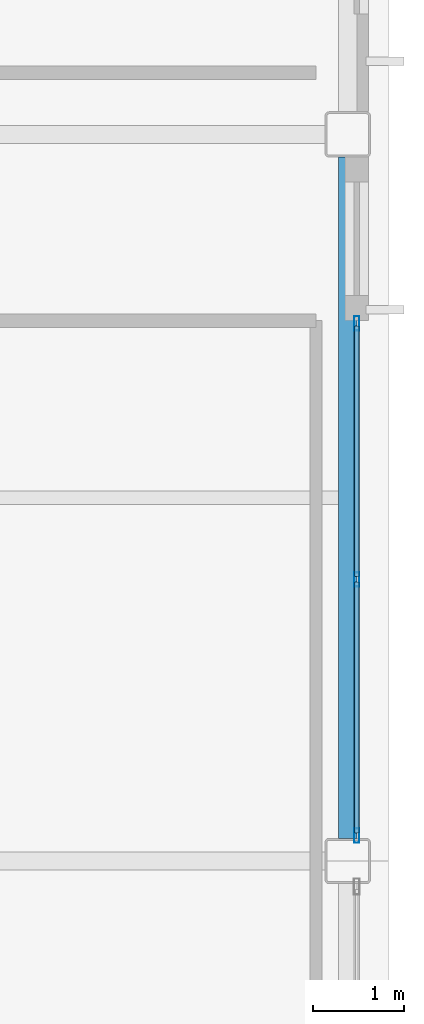
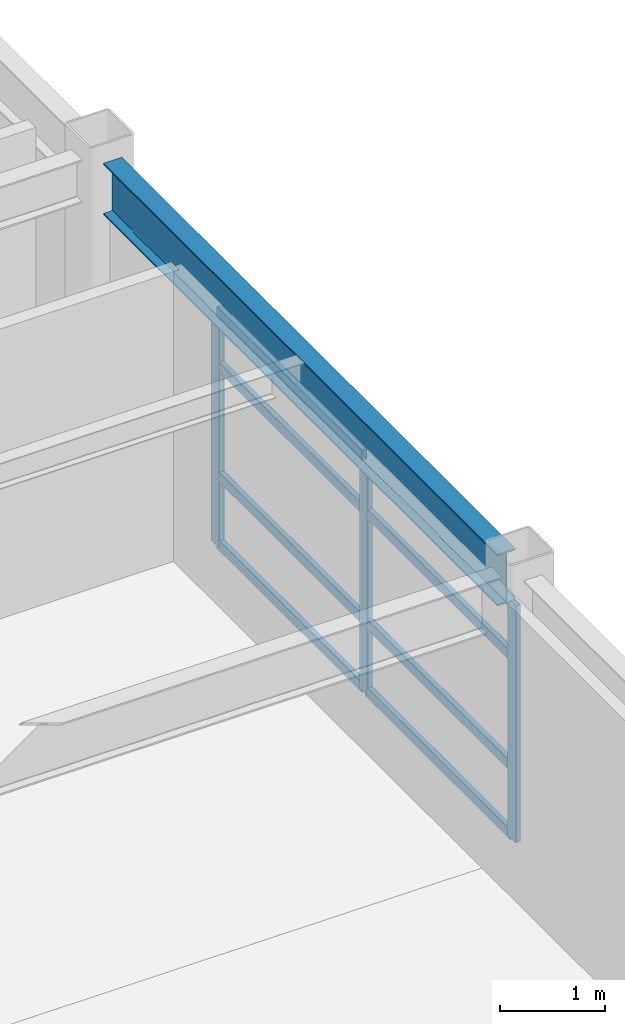
# One storey, part 15 of 35: 11 members, 1 beam, 1 element without a shape of its own.
"""IFC4 building model written with IfcOpenShell, lengths in metres."""

from ifc_helpers import new_model, si_unit, direction, frame, origin, origin_2d, place, context, subcontext, project, spatial, hollow_rectangle, i_section, extrude, material, layer, layer_set, material_profile, profile_set, type_object, element, aggregate, save


model = new_model("IFC4")

# Units and contexts
model_context = context("Model", 3, precision=1e-05, world=origin(), true_north=direction((0.0, 1.0)))
body_context = subcontext(model_context, "Body", "Model", "MODEL_VIEW")
ifc_project = project(units=[si_unit("LENGTHUNIT", "METRE"), si_unit("AREAUNIT", "SQUARE_METRE"), si_unit("VOLUMEUNIT", "CUBIC_METRE"), si_unit("PLANEANGLEUNIT", "RADIAN"), si_unit("MASSUNIT", "GRAM", prefix="KILO")], contexts=[model_context])

# Site, building, storey
site_placement = place(None, origin())
site = spatial("IfcSite", under=ifc_project, at=site_placement, CompositionType="ELEMENT")
building_placement = place(site_placement, origin())
building = spatial("IfcBuilding", under=site, at=building_placement, Name="Kazehara Bluff Congress Hotel", CompositionType="ELEMENT")
storey_placement = place(building_placement, frame((0.0, 0.0, 35.39990234375)))
storey = spatial("IfcBuildingStorey", under=building, at=storey_placement, Name="L08", CompositionType="ELEMENT", Elevation=35.39990234375)

# Curtain wall, members
ifc_material_1 = material(Name="Anodised aluminium", Category="aluminium")
ifc_layer = layer(ifc_material_1, 0.159912109375)
ifc_layer_set = layer_set([ifc_layer], Name="Anodised aluminium")
curtain_wall_type = type_object("IfcCurtainWallType", Name="TP-CW-189", PredefinedType="NOTDEFINED", material=ifc_layer_set)
curtain_wall_placement = place(storey_placement, origin())
curtain_wall = element("IfcCurtainWall", 1, at=curtain_wall_placement, inside=storey, type_object=curtain_wall_type, Name="L08 curtain wall CW-189 CW-ENC-V5-L08-16765-5155", PredefinedType="NOTDEFINED")
ifc_material_2 = material(Name="Anodised aluminium", Category="aluminium")
ifc_material_profile_1 = material_profile(ifc_material_2, hollow_rectangle(XDim=0.06005859375, YDim=0.159912109375, WallThickness=0.00390625, InnerFilletRadius=0.00390625, OuterFilletRadius=0.008056640625, at=origin_2d()))
ifc_profile_set_1 = profile_set([ifc_material_profile_1], Name="Anodised aluminium")
member_type_1 = type_object("IfcMemberType", Name="TP-CWM-01", PredefinedType="MULLION", material=ifc_profile_set_1)
member_1_placement = place(storey_placement, frame((167.64990234375, 54.3701171875, 0.0), z_axis=(0.0, 0.0, 1.0), x_axis=(1.0, 0.0, 0.0)))
member_1 = element("IfcMember", 2, at=member_1_placement, type_object=member_type_1, Name="CW-189 mullion 1", PredefinedType="MULLION", context=body_context, shape_type="SweptSolid", body=[
    extrude(hollow_rectangle(XDim=0.06005859375, YDim=0.159912109375, WallThickness=0.00390625, InnerFilletRadius=0.00390625, OuterFilletRadius=0.008056640625, at=origin_2d()), origin(), (0.0, 0.0, 1.0), 2.755126953125),
])
member_2_placement = place(storey_placement, frame((167.64990234375, 51.550048828125, 0.0), z_axis=(0.0, 0.0, 1.0), x_axis=(1.0, 0.0, 0.0)))
member_2 = element("IfcMember", 3, at=member_2_placement, type_object=member_type_1, Name="CW-189 mullion 2", PredefinedType="MULLION", context=body_context, shape_type="SweptSolid", body=[
    extrude(hollow_rectangle(XDim=0.06005859375, YDim=0.159912109375, WallThickness=0.00390625, InnerFilletRadius=0.00390625, OuterFilletRadius=0.008056640625, at=origin_2d()), origin(), (0.0, 0.0, 1.0), 2.755126953125),
])
member_3_placement = place(storey_placement, frame((167.64990234375, 48.72998046875, 0.0), z_axis=(0.0, 0.0, 1.0), x_axis=(1.0, 0.0, 0.0)))
member_3 = element("IfcMember", 4, at=member_3_placement, type_object=member_type_1, Name="CW-189 mullion 3", PredefinedType="MULLION", context=body_context, shape_type="SweptSolid", body=[
    extrude(hollow_rectangle(XDim=0.06005859375, YDim=0.159912109375, WallThickness=0.00390625, InnerFilletRadius=0.00390625, OuterFilletRadius=0.008056640625, at=origin_2d()), origin(), (0.0, 0.0, 1.0), 2.755126953125),
])
ifc_material_3 = material(Name="Anodised aluminium", Category="aluminium")
ifc_material_profile_2 = material_profile(ifc_material_3, hollow_rectangle(XDim=0.06005859375, YDim=0.1201171875, WallThickness=0.00390625, InnerFilletRadius=0.00390625, OuterFilletRadius=0.008056640625, at=origin_2d()))
ifc_profile_set_2 = profile_set([ifc_material_profile_2], Name="Anodised aluminium")
member_type_2 = type_object("IfcMemberType", Name="TP-CWT-01", PredefinedType="USERDEFINED", material=ifc_profile_set_2)
member_4_placement = place(storey_placement, frame((167.64990234375, 54.340087890625, 0.030029296875), z_axis=(0.0, -1.0, 0.0), x_axis=(1.0, 0.0, 0.0)))
member_4 = element("IfcMember", 5, at=member_4_placement, type_object=member_type_2, Name="CW-189 transom 1.1", ObjectType="TRANSOM", PredefinedType="USERDEFINED", context=body_context, shape_type="SweptSolid", body=[
    extrude(hollow_rectangle(XDim=0.06005859375, YDim=0.1201171875, WallThickness=0.00390625, InnerFilletRadius=0.00390625, OuterFilletRadius=0.008056640625, at=origin_2d()), origin(), (0.0, 0.0, 1.0), 2.760009765625),
])
member_5_placement = place(storey_placement, frame((167.64990234375, 54.340087890625, 0.8251953125), z_axis=(0.0, -1.0, 0.0), x_axis=(1.0, 0.0, 0.0)))
member_5 = element("IfcMember", 6, at=member_5_placement, type_object=member_type_2, Name="CW-189 transom 1.2", ObjectType="TRANSOM", PredefinedType="USERDEFINED", context=body_context, shape_type="SweptSolid", body=[
    extrude(hollow_rectangle(XDim=0.06005859375, YDim=0.1201171875, WallThickness=0.00390625, InnerFilletRadius=0.00390625, OuterFilletRadius=0.008056640625, at=origin_2d()), origin(), (0.0, 0.0, 1.0), 2.760009765625),
])
member_6_placement = place(storey_placement, frame((167.64990234375, 54.340087890625, 2.10498046875), z_axis=(0.0, -1.0, 0.0), x_axis=(1.0, 0.0, 0.0)))
member_6 = element("IfcMember", 7, at=member_6_placement, type_object=member_type_2, Name="CW-189 transom 1.3", ObjectType="TRANSOM", PredefinedType="USERDEFINED", context=body_context, shape_type="SweptSolid", body=[
    extrude(hollow_rectangle(XDim=0.06005859375, YDim=0.1201171875, WallThickness=0.00390625, InnerFilletRadius=0.00390625, OuterFilletRadius=0.008056640625, at=origin_2d()), origin(), (0.0, 0.0, 1.0), 2.760009765625),
])
member_7_placement = place(storey_placement, frame((167.64990234375, 54.340087890625, 2.72509765625), z_axis=(0.0, -1.0, 0.0), x_axis=(1.0, 0.0, 0.0)))
member_7 = element("IfcMember", 8, at=member_7_placement, type_object=member_type_2, Name="CW-189 transom 1.4", ObjectType="TRANSOM", PredefinedType="USERDEFINED", context=body_context, shape_type="SweptSolid", body=[
    extrude(hollow_rectangle(XDim=0.06005859375, YDim=0.1201171875, WallThickness=0.00390625, InnerFilletRadius=0.00390625, OuterFilletRadius=0.008056640625, at=origin_2d()), origin(), (0.0, 0.0, 1.0), 2.760009765625),
])
member_8_placement = place(storey_placement, frame((167.64990234375, 51.52001953125, 0.030029296875), z_axis=(0.0, -1.0, 0.0), x_axis=(1.0, 0.0, 0.0)))
member_8 = element("IfcMember", 9, at=member_8_placement, type_object=member_type_2, Name="CW-189 transom 2.1", ObjectType="TRANSOM", PredefinedType="USERDEFINED", context=body_context, shape_type="SweptSolid", body=[
    extrude(hollow_rectangle(XDim=0.06005859375, YDim=0.1201171875, WallThickness=0.00390625, InnerFilletRadius=0.00390625, OuterFilletRadius=0.008056640625, at=origin_2d()), origin(), (0.0, 0.0, 1.0), 2.760009765625),
])
member_9_placement = place(storey_placement, frame((167.64990234375, 51.52001953125, 0.8251953125), z_axis=(0.0, -1.0, 0.0), x_axis=(1.0, 0.0, 0.0)))
member_9 = element("IfcMember", 10, at=member_9_placement, type_object=member_type_2, Name="CW-189 transom 2.2", ObjectType="TRANSOM", PredefinedType="USERDEFINED", context=body_context, shape_type="SweptSolid", body=[
    extrude(hollow_rectangle(XDim=0.06005859375, YDim=0.1201171875, WallThickness=0.00390625, InnerFilletRadius=0.00390625, OuterFilletRadius=0.008056640625, at=origin_2d()), origin(), (0.0, 0.0, 1.0), 2.760009765625),
])
member_10_placement = place(storey_placement, frame((167.64990234375, 51.52001953125, 2.10498046875), z_axis=(0.0, -1.0, 0.0), x_axis=(1.0, 0.0, 0.0)))
member_10 = element("IfcMember", 11, at=member_10_placement, type_object=member_type_2, Name="CW-189 transom 2.3", ObjectType="TRANSOM", PredefinedType="USERDEFINED", context=body_context, shape_type="SweptSolid", body=[
    extrude(hollow_rectangle(XDim=0.06005859375, YDim=0.1201171875, WallThickness=0.00390625, InnerFilletRadius=0.00390625, OuterFilletRadius=0.008056640625, at=origin_2d()), origin(), (0.0, 0.0, 1.0), 2.760009765625),
])
member_11_placement = place(storey_placement, frame((167.64990234375, 51.52001953125, 2.72509765625), z_axis=(0.0, -1.0, 0.0), x_axis=(1.0, 0.0, 0.0)))
member_11 = element("IfcMember", 12, at=member_11_placement, type_object=member_type_2, Name="CW-189 transom 2.4", ObjectType="TRANSOM", PredefinedType="USERDEFINED", context=body_context, shape_type="SweptSolid", body=[
    extrude(hollow_rectangle(XDim=0.06005859375, YDim=0.1201171875, WallThickness=0.00390625, InnerFilletRadius=0.00390625, OuterFilletRadius=0.008056640625, at=origin_2d()), origin(), (0.0, 0.0, 1.0), 2.760009765625),
])
aggregate(curtain_wall, [member_1, member_2, member_3, member_4, member_5, member_6, member_7, member_8, member_9, member_10, member_11])

# Beam
ifc_material_4 = material(Name="Steel SN490B", Category="steel")
ifc_material_profile_3 = material_profile(ifc_material_4, i_section(OverallWidth=0.199951171875, OverallDepth=0.60009765625, WebThickness=0.010986328125, FlangeThickness=0.01708984375, FilletRadius=0.012939453125, at=origin_2d()))
ifc_profile_set_3 = profile_set([ifc_material_profile_3], Name="Steel SN490B")
beam_type = type_object("IfcBeamType", Name="TP-G-02", PredefinedType="BEAM", material=ifc_profile_set_3)
beam_placement = place(storey_placement, frame((167.550048828125, 48.699951171875, 3.080078125), z_axis=(0.0, 1.0, 0.0), x_axis=(-1.0, 0.0, 0.0)))
element("IfcBeam", 13, at=beam_placement, inside=storey, type_object=beam_type, Name="L08 girder G-02 32", PredefinedType="BEAM", context=body_context, shape_type="SweptSolid", body=[
    extrude(i_section(OverallWidth=0.199951171875, OverallDepth=0.60009765625, WebThickness=0.010986328125, FlangeThickness=0.01708984375, FilletRadius=0.012939453125, at=origin_2d()), origin(), (0.0, 0.0, 1.0), 7.5),
])

save(model, "model.ifc")
